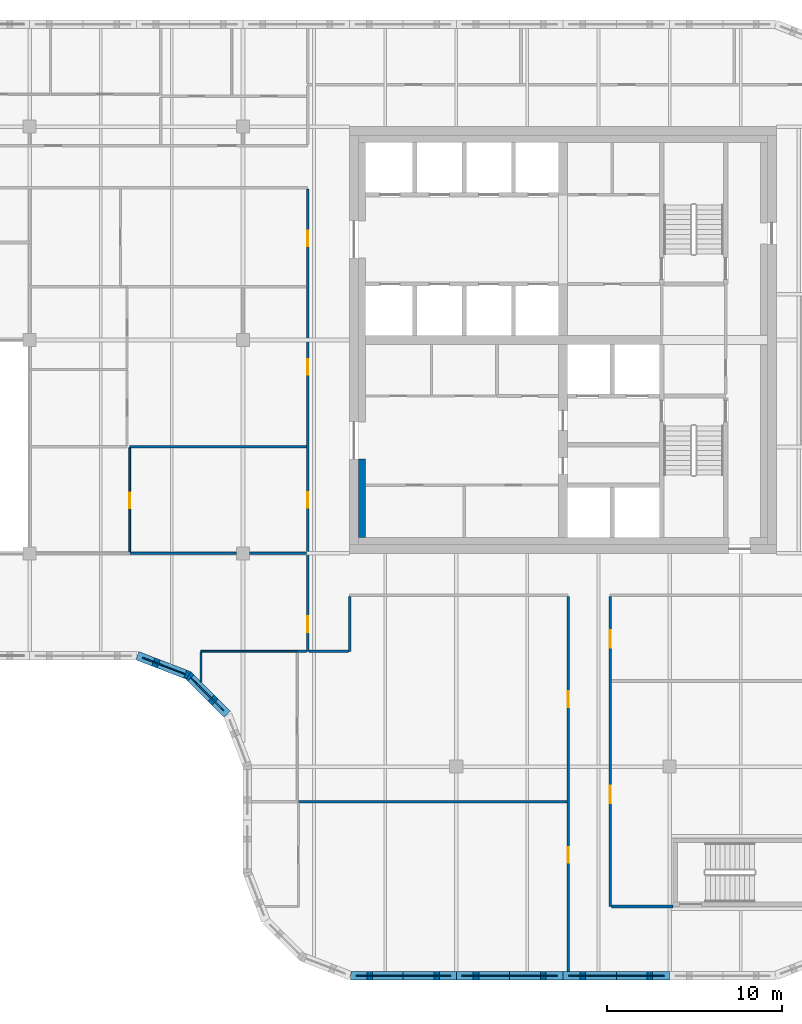
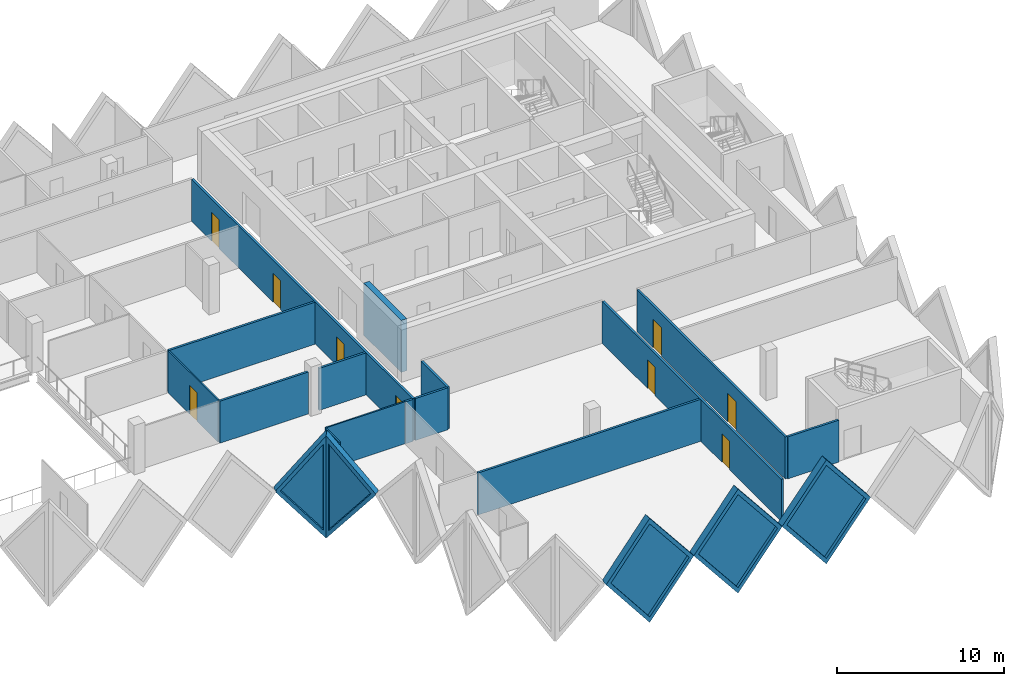
# One storey, part 4 of 11: 20 walls, 9 doors, 5 plates, 14 openings.
"""IFC4 building model written with IfcOpenShell, lengths in metres."""

from ifc_helpers import new_model, si_unit, direction, frame, frame_2d, origin, place, context, subcontext, project, spatial, polyline, rectangle, outline, extrude, faceted_brep, source, transform, mapped, material, layer, layer_set, type_object, element, fill, save


model = new_model("IFC4")

# Units and contexts
model_context = context("Model", 3, precision=1e-05, world=origin(), true_north=direction((0.0, 1.0)))
body_context = subcontext(model_context, "Body", "Model", "MODEL_VIEW")
ifc_project = project(units=[si_unit("LENGTHUNIT", "METRE"), si_unit("AREAUNIT", "SQUARE_METRE"), si_unit("VOLUMEUNIT", "CUBIC_METRE"), si_unit("PLANEANGLEUNIT", "RADIAN"), si_unit("MASSUNIT", "GRAM", prefix="KILO")], contexts=[model_context])

# Site, building, storey
site_placement = place(None, origin())
site = spatial("IfcSite", under=ifc_project, at=site_placement, CompositionType="ELEMENT")
building_placement = place(site_placement, origin())
building = spatial("IfcBuilding", under=site, at=building_placement, Name="Tessera Gate Towers", CompositionType="ELEMENT")
storey_placement = place(building_placement, frame((0.0, 0.0, 224.5)))
storey = spatial("IfcBuildingStorey", under=building, at=storey_placement, Name="L56", CompositionType="ELEMENT", Elevation=224.5)

# Wall
ifc_material_1 = material(Name="Concrete C50/60", Category="concrete")
ifc_layer_1 = layer(ifc_material_1, 0.39990234375)
ifc_layer_set_1 = layer_set([ifc_layer_1], Name="CORE WALL THICKENING 400")
wall_type_1 = type_object("IfcWallType", Name="CORE WALL THICKENING 400", PredefinedType="SOLIDWALL", material=ifc_layer_set_1)
wall_1_placement = place(storey_placement, frame((31.199951171875, 25.300048828125, 0.0), z_axis=(0.0, 0.0, 1.0), x_axis=(0.0, 1.0, 0.0)))
element("IfcWall", 1, at=wall_1_placement, inside=storey, type_object=wall_type_1, Name="Core wall thickening W L56", PredefinedType="SOLIDWALL", context=body_context, shape_type="SweptSolid", body=[
    extrude(rectangle(XDim=4.5, YDim=0.39990234375, at=frame_2d((2.25, 0.0))), origin(), (0.0, 0.0, 1.0), 3.800048828125),
])

# Wall, openings, doors
ifc_material_2 = material(Name="Gypsum board on steel studs, mineral wool", Category="steel")
ifc_layer_2 = layer(ifc_material_2, 0.14990234375)
ifc_layer_set_2 = layer_set([ifc_layer_2], Name="CORRIDOR WALL 150")
wall_type_2 = type_object("IfcWallType", Name="CORRIDOR WALL 150", PredefinedType="PARTITIONING", material=ifc_layer_set_2)
wall_2_placement = place(storey_placement, frame((43.0, 0.5, 0.0), z_axis=(0.0, 0.0, 1.0), x_axis=(0.0, 1.0, 0.0)))
wall_2 = element("IfcWall", 2, at=wall_2_placement, inside=storey, type_object=wall_type_2, Name="T1-L56-PW-001", PredefinedType="PARTITIONING", context=body_context, shape_type="SweptSolid", body=[
    extrude(rectangle(XDim=21.424072265625, YDim=0.14990234375, at=frame_2d((10.7119140625, 0.0))), origin(), (0.0, 0.0, 1.0), 3.06689453125),
])
shared_shape_1 = source(origin(), body_context, "Body", "SweptSolid", [
    extrude(rectangle(XDim=0.89990234375, YDim=2.10009765625, at=frame_2d((0.449951171875, 1.050048828125))), frame((0.0, 0.0849609375, 0.0), z_axis=(0.0, -1.0, 0.0), x_axis=(1.0, 0.0, 0.0)), (0.0, 0.0, 1.0), 0.169921875),
])
opening_1_placement = place(wall_2_placement, frame((6.199951171875, 0.0, 0.0)))
opening_1 = element("IfcOpeningElement", 3, at=opening_1_placement, cuts=wall_2, Name="Opening D890FD60-A20-03", PredefinedType="OPENING", context=body_context, shape_type="MappedRepresentation", body=[
    mapped(shared_shape_1, transform((0.0, 0.0, 0.0), scale=1.0)),
])
opening_2_placement = place(wall_2_placement, frame((15.10009765625, 0.0, 0.0)))
opening_2 = element("IfcOpeningElement", 4, at=opening_2_placement, cuts=wall_2, Name="Opening D890FD60-A20-08", PredefinedType="OPENING", context=body_context, shape_type="MappedRepresentation", body=[
    mapped(shared_shape_1, transform((0.0, 0.0, 0.0), scale=1.0)),
])
ifc_material_3 = material(Name="Timber door leaf in steel frame", Category="steel")
door_type_1 = type_object("IfcDoorType", Name="CORRIDOR DOOR 900 FD60", OperationType="NOTDEFINED", PredefinedType="DOOR", material=ifc_material_3)
shared_shape_2 = source(origin(), body_context, "Body", "SweptSolid", [
    extrude(rectangle(XDim=0.89990234375, YDim=2.10009765625, at=frame_2d((0.449951171875, 1.050048828125))), frame((0.0, 0.02490234375, 0.0), z_axis=(0.0, -1.0, 0.0), x_axis=(1.0, 0.0, 0.0)), (0.0, 0.0, 1.0), 0.050048828125),
])
door_1_placement = place(opening_1_placement, origin())
door_1 = element("IfcDoor", 5, at=door_1_placement, inside=storey, type_object=door_type_1, Name="T1-L56-PD-014", OperationType="SINGLE_SWING_LEFT", OverallHeight=2.10009765625, OverallWidth=0.89990234375, PredefinedType="DOOR", context=body_context, shape_type="MappedRepresentation", body=[
    mapped(shared_shape_2, transform((0.0, 0.0, 0.0), scale=1.0)),
])
fill(opening_1, door_1)
door_2_placement = place(opening_2_placement, origin())
door_2 = element("IfcDoor", 6, at=door_2_placement, inside=storey, type_object=door_type_1, Name="T1-L56-PD-023", OperationType="SINGLE_SWING_LEFT", OverallHeight=2.10009765625, OverallWidth=0.89990234375, PredefinedType="DOOR", context=body_context, shape_type="MappedRepresentation", body=[
    mapped(shared_shape_2, transform((0.0, 0.0, 0.0), scale=1.0)),
])
fill(opening_2, door_2)

wall_3_placement = place(storey_placement, frame((45.39990234375, 21.924072265625, 0.0), z_axis=(0.0, 0.0, 1.0), x_axis=(0.0, -1.0, 0.0)))
wall_3 = element("IfcWall", 7, at=wall_3_placement, inside=storey, type_object=wall_type_2, Name="T1-L56-PW-005", PredefinedType="PARTITIONING", context=body_context, shape_type="SweptSolid", body=[
    extrude(rectangle(XDim=17.72412109375, YDim=0.14990234375, at=frame_2d((8.862060546875, 0.0))), origin(), (0.0, 0.0, 1.0), 3.06689453125),
])
shared_shape_3 = source(origin(), body_context, "Body", "SweptSolid", [
    extrude(rectangle(XDim=1.0, YDim=2.10009765625, at=frame_2d((0.5, 1.050048828125))), frame((0.0, 0.0849609375, 0.0), z_axis=(0.0, -1.0, 0.0), x_axis=(1.0, 0.0, 0.0)), (0.0, 0.0, 1.0), 0.169921875),
])
opening_3_placement = place(wall_3_placement, frame((1.923095703125, 0.0, 0.0)))
opening_3 = element("IfcOpeningElement", 8, at=opening_3_placement, cuts=wall_3, Name="Opening D2100FD60-A20-02", PredefinedType="OPENING", context=body_context, shape_type="MappedRepresentation", body=[
    mapped(shared_shape_3, transform((0.0, 0.0, 0.0), scale=1.0)),
])
opening_4_placement = place(wall_3_placement, frame((10.823974609375, 0.0, 0.0)))
opening_4 = element("IfcOpeningElement", 9, at=opening_4_placement, cuts=wall_3, Name="Opening D2100FD60-A20-04", PredefinedType="OPENING", context=body_context, shape_type="MappedRepresentation", body=[
    mapped(shared_shape_3, transform((0.0, 0.0, 0.0), scale=1.0)),
])
ifc_material_4 = material(Name="Timber door leaf in steel frame", Category="steel")
door_type_2 = type_object("IfcDoorType", Name="TENANCY ENTRANCE DOOR 1000 FD60", OperationType="NOTDEFINED", PredefinedType="DOOR", material=ifc_material_4)
shared_shape_4 = source(origin(), body_context, "Body", "SweptSolid", [
    extrude(rectangle(XDim=1.0, YDim=2.10009765625, at=frame_2d((0.5, 1.050048828125))), frame((0.0, 0.02490234375, 0.0), z_axis=(0.0, -1.0, 0.0), x_axis=(1.0, 0.0, 0.0)), (0.0, 0.0, 1.0), 0.050048828125),
])
door_3_placement = place(opening_3_placement, origin())
door_3 = element("IfcDoor", 10, at=door_3_placement, inside=storey, type_object=door_type_2, Name="T1-L56-PD-008", OperationType="SINGLE_SWING_RIGHT", OverallHeight=2.10009765625, OverallWidth=1.0, PredefinedType="DOOR", context=body_context, shape_type="MappedRepresentation", body=[
    mapped(shared_shape_4, transform((0.0, 0.0, 0.0), scale=1.0)),
])
fill(opening_3, door_3)
door_4_placement = place(opening_4_placement, origin())
door_4 = element("IfcDoor", 11, at=door_4_placement, inside=storey, type_object=door_type_2, Name="T1-L56-PD-027", OperationType="SINGLE_SWING_RIGHT", OverallHeight=2.10009765625, OverallWidth=1.0, PredefinedType="DOOR", context=body_context, shape_type="MappedRepresentation", body=[
    mapped(shared_shape_4, transform((0.0, 0.0, 0.0), scale=1.0)),
])
fill(opening_4, door_4)

# Wall
wall_4_placement = place(storey_placement, frame((45.47607421875, 4.199951171875, 0.0), z_axis=(0.0, 0.0, 1.0), x_axis=(1.0, 0.0, 0.0)))
element("IfcWall", 12, at=wall_4_placement, inside=storey, type_object=wall_type_2, Name="T1-L56-PW-006", PredefinedType="PARTITIONING", context=body_context, shape_type="SweptSolid", body=[
    extrude(rectangle(XDim=3.52392578125, YDim=0.14990234375, at=frame_2d((1.761962890625, 0.0))), origin(), (0.0, 0.0, 1.0), 3.06689453125),
])

# Wall, openings, doors
wall_5_placement = place(storey_placement, frame((28.10009765625, 18.800048828125, 0.0), z_axis=(0.0, 0.0, 1.0), x_axis=(0.0, 1.0, 0.0)))
wall_5 = element("IfcWall", 13, at=wall_5_placement, inside=storey, type_object=wall_type_2, Name="T1-L56-PW-014", PredefinedType="PARTITIONING", context=body_context, shape_type="SweptSolid", body=[
    extrude(rectangle(XDim=26.424072265625, YDim=0.14990234375, at=frame_2d((13.2119140625, 0.0))), origin(), (0.0, 0.0, 1.0), 3.06689453125),
])
opening_5_placement = place(wall_5_placement, frame((1.10009765625, 0.0, 0.0)))
opening_5 = element("IfcOpeningElement", 14, at=opening_5_placement, cuts=wall_5, Name="Opening D890FD60-A20-01", PredefinedType="OPENING", context=body_context, shape_type="MappedRepresentation", body=[
    mapped(shared_shape_1, transform((0.0, 0.0, 0.0), scale=1.0)),
])
opening_6_placement = place(wall_5_placement, frame((23.15087890625, 0.0, 0.0)))
opening_6 = element("IfcOpeningElement", 15, at=opening_6_placement, cuts=wall_5, Name="Opening D890FD60-A20-02", PredefinedType="OPENING", context=body_context, shape_type="MappedRepresentation", body=[
    mapped(shared_shape_1, transform((0.0, 0.0, 0.0), scale=1.0)),
])
opening_7_placement = place(wall_5_placement, frame((8.199951171875, 0.0, 0.0)))
opening_7 = element("IfcOpeningElement", 16, at=opening_7_placement, cuts=wall_5, Name="Opening D890FD60-A20-04", PredefinedType="OPENING", context=body_context, shape_type="MappedRepresentation", body=[
    mapped(shared_shape_1, transform((0.0, 0.0, 0.0), scale=1.0)),
])
opening_8_placement = place(wall_5_placement, frame((15.800048828125, 0.0, 0.0)))
opening_8 = element("IfcOpeningElement", 17, at=opening_8_placement, cuts=wall_5, Name="Opening D890FD60-A20-07", PredefinedType="OPENING", context=body_context, shape_type="MappedRepresentation", body=[
    mapped(shared_shape_1, transform((0.0, 0.0, 0.0), scale=1.0)),
])
door_5_placement = place(opening_5_placement, origin())
door_5 = element("IfcDoor", 18, at=door_5_placement, inside=storey, type_object=door_type_1, Name="T1-L56-PD-001", OperationType="SINGLE_SWING_LEFT", OverallHeight=2.10009765625, OverallWidth=0.89990234375, PredefinedType="DOOR", context=body_context, shape_type="MappedRepresentation", body=[
    mapped(shared_shape_2, transform((0.0, 0.0, 0.0), scale=1.0)),
])
fill(opening_5, door_5)
door_6_placement = place(opening_6_placement, origin())
door_6 = element("IfcDoor", 19, at=door_6_placement, inside=storey, type_object=door_type_1, Name="T1-L56-PD-011", OperationType="SINGLE_SWING_LEFT", OverallHeight=2.10009765625, OverallWidth=0.89990234375, PredefinedType="DOOR", context=body_context, shape_type="MappedRepresentation", body=[
    mapped(shared_shape_2, transform((0.0, 0.0, 0.0), scale=1.0)),
])
fill(opening_6, door_6)
door_7_placement = place(opening_7_placement, origin())
door_7 = element("IfcDoor", 20, at=door_7_placement, inside=storey, type_object=door_type_1, Name="T1-L56-PD-015", OperationType="SINGLE_SWING_LEFT", OverallHeight=2.10009765625, OverallWidth=0.89990234375, PredefinedType="DOOR", context=body_context, shape_type="MappedRepresentation", body=[
    mapped(shared_shape_2, transform((0.0, 0.0, 0.0), scale=1.0)),
])
fill(opening_7, door_7)
door_8_placement = place(opening_8_placement, origin())
door_8 = element("IfcDoor", 21, at=door_8_placement, inside=storey, type_object=door_type_1, Name="T1-L56-PD-022", OperationType="SINGLE_SWING_LEFT", OverallHeight=2.10009765625, OverallWidth=0.89990234375, PredefinedType="DOOR", context=body_context, shape_type="MappedRepresentation", body=[
    mapped(shared_shape_2, transform((0.0, 0.0, 0.0), scale=1.0)),
])
fill(opening_8, door_8)

# Walls
wall_6_placement = place(storey_placement, frame((28.176025390625, 18.800048828125, 0.0), z_axis=(0.0, 0.0, 1.0), x_axis=(1.0, 0.0, 0.0)))
element("IfcWall", 22, at=wall_6_placement, inside=storey, type_object=wall_type_2, Name="T1-L56-PW-015", PredefinedType="PARTITIONING", context=body_context, shape_type="SweptSolid", body=[
    extrude(rectangle(XDim=2.248046875, YDim=0.14990234375, at=frame_2d((1.1240234375, 0.0))), origin(), (0.0, 0.0, 1.0), 3.06689453125),
])
wall_7_placement = place(storey_placement, frame((30.5, 18.800048828125, 0.0), z_axis=(0.0, 0.0, 1.0), x_axis=(0.0, 1.0, 0.0)))
element("IfcWall", 23, at=wall_7_placement, inside=storey, type_object=wall_type_2, Name="T1-L56-PW-016", PredefinedType="PARTITIONING", context=body_context, shape_type="SweptSolid", body=[
    extrude(rectangle(XDim=3.1240234375, YDim=0.14990234375, at=frame_2d((1.56201171875, 0.0))), origin(), (0.0, 0.0, 1.0), 3.06689453125),
])
ifc_material_5 = material(Name="Glass", Category="glass")
ifc_layer_3 = layer(ifc_material_5, 0.10009765625)
ifc_layer_set_3 = layer_set([ifc_layer_3], Name="GLAZED PARTITION 100")
wall_type_3 = type_object("IfcWallType", Name="GLAZED PARTITION 100", PredefinedType="PARTITIONING", material=ifc_layer_set_3)
wall_8_placement = place(storey_placement, frame((22.0, 17.054931640625, 0.0), z_axis=(0.0, 0.0, 1.0), x_axis=(0.0, 1.0, 0.0)))
element("IfcWall", 24, at=wall_8_placement, inside=storey, type_object=wall_type_3, Name="T1-L56-PW-010", PredefinedType="PARTITIONING", context=body_context, shape_type="SweptSolid", body=[
    extrude(rectangle(XDim=1.694091796875, YDim=0.10009765625, at=frame_2d((0.84716796875, 0.0))), origin(), (0.0, 0.0, 1.0), 3.06689453125),
])
wall_9_placement = place(storey_placement, frame((22.0, 18.800048828125, 0.0), z_axis=(0.0, 0.0, 1.0), x_axis=(1.0, 0.0, 0.0)))
element("IfcWall", 25, at=wall_9_placement, inside=storey, type_object=wall_type_3, Name="T1-L56-PW-012", PredefinedType="PARTITIONING", context=body_context, shape_type="SweptSolid", body=[
    extrude(rectangle(XDim=5.4990234375, YDim=0.10009765625, at=frame_2d((2.74951171875, 0.0))), origin(), (0.0, 0.0, 1.0), 3.06689453125),
])

# Wall, opening, door
wall_10_placement = place(storey_placement, frame((17.925048828125, 24.47607421875, 0.0), z_axis=(0.0, 0.0, 1.0), x_axis=(0.0, 1.0, 0.0)))
wall_10 = element("IfcWall", 26, at=wall_10_placement, inside=storey, type_object=wall_type_3, Name="T1-L56-PW-025", PredefinedType="PARTITIONING", context=body_context, shape_type="SweptSolid", body=[
    extrude(rectangle(XDim=5.947998046875, YDim=0.10009765625, at=frame_2d((2.97412109375, 0.0))), origin(), (0.0, 0.0, 1.0), 3.06689453125),
])
shared_shape_5 = source(origin(), body_context, "Body", "SweptSolid", [
    extrude(rectangle(XDim=0.89990234375, YDim=2.10009765625, at=frame_2d((0.449951171875, 1.050048828125))), frame((0.0, 0.06005859375, 0.0), z_axis=(0.0, -1.0, 0.0), x_axis=(1.0, 0.0, 0.0)), (0.0, 0.0, 1.0), 0.1201171875),
])
opening_9_placement = place(wall_10_placement, frame((2.5, 0.0, 0.0)))
opening_9 = element("IfcOpeningElement", 27, at=opening_9_placement, cuts=wall_10, Name="Opening D690-A20-06", PredefinedType="OPENING", context=body_context, shape_type="MappedRepresentation", body=[
    mapped(shared_shape_5, transform((0.0, 0.0, 0.0), scale=1.0)),
])
ifc_material_6 = material(Name="Glass in aluminium frame", Category="aluminium")
door_type_3 = type_object("IfcDoorType", Name="GLAZED DOOR 900 NOT RATED", OperationType="NOTDEFINED", PredefinedType="DOOR", material=ifc_material_6)
door_9_placement = place(opening_9_placement, origin())
door_9 = element("IfcDoor", 28, at=door_9_placement, inside=storey, type_object=door_type_3, Name="T1-L56-PD-013", OperationType="SINGLE_SWING_LEFT", OverallHeight=2.10009765625, OverallWidth=0.89990234375, PredefinedType="DOOR", context=body_context, shape_type="MappedRepresentation", body=[
    mapped(shared_shape_2, transform((0.0, 0.0, 0.0), scale=1.0)),
])
fill(opening_9, door_9)

# Walls
ifc_material_7 = material(Name="Gypsum board on steel studs, mineral wool", Category="steel")
ifc_layer_4 = layer(ifc_material_7, 0.14990234375)
ifc_layer_set_4 = layer_set([ifc_layer_4], Name="TENANCY WALL 150")
wall_type_4 = type_object("IfcWallType", Name="TENANCY WALL 150", PredefinedType="PARTITIONING", material=ifc_layer_set_4)
wall_11_placement = place(storey_placement, frame((27.574951171875, 10.199951171875, 0.0), z_axis=(0.0, 0.0, 1.0), x_axis=(1.0, 0.0, 0.0)))
element("IfcWall", 29, at=wall_11_placement, inside=storey, type_object=wall_type_4, Name="T1-L56-PW-008", PredefinedType="PARTITIONING", context=body_context, shape_type="SweptSolid", body=[
    extrude(rectangle(XDim=15.34912109375, YDim=0.14990234375, at=frame_2d((7.674560546875, 0.0))), origin(), (0.0, 0.0, 1.0), 3.06689453125),
])
wall_12_placement = place(storey_placement, frame((27.5, 18.800048828125, 0.0), z_axis=(0.0, 0.0, 1.0), x_axis=(1.0, 0.0, 0.0)))
element("IfcWall", 30, at=wall_12_placement, inside=storey, type_object=wall_type_4, Name="T1-L56-PW-013", PredefinedType="PARTITIONING", context=body_context, shape_type="SweptSolid", body=[
    extrude(rectangle(XDim=0.52392578125, YDim=0.14990234375, at=frame_2d((0.261962890625, 0.0))), origin(), (0.0, 0.0, 1.0), 3.06689453125),
])
wall_13_placement = place(storey_placement, frame((17.925048828125, 24.39990234375, 0.0), z_axis=(0.0, 0.0, 1.0), x_axis=(1.0, 0.0, 0.0)))
element("IfcWall", 31, at=wall_13_placement, inside=storey, type_object=wall_type_4, Name="T1-L56-PW-023", PredefinedType="PARTITIONING", context=body_context, shape_type="SweptSolid", body=[
    extrude(rectangle(XDim=6.098876953125, YDim=0.14990234375, at=frame_2d((3.04931640625, 0.0))), origin(), (0.0, 0.0, 1.0), 3.06689453125),
])
wall_14_placement = place(storey_placement, frame((24.77587890625, 24.39990234375, 0.0), z_axis=(0.0, 0.0, 1.0), x_axis=(1.0, 0.0, 0.0)))
element("IfcWall", 32, at=wall_14_placement, inside=storey, type_object=wall_type_4, Name="T1-L56-PW-024", PredefinedType="PARTITIONING", context=body_context, shape_type="SweptSolid", body=[
    extrude(rectangle(XDim=3.248046875, YDim=0.14990234375, at=frame_2d((1.6240234375, 0.0))), origin(), (0.0, 0.0, 1.0), 3.06689453125),
])
wall_15_placement = place(storey_placement, frame((17.925048828125, 30.5, 0.0), z_axis=(0.0, 0.0, 1.0), x_axis=(1.0, 0.0, 0.0)))
element("IfcWall", 33, at=wall_15_placement, inside=storey, type_object=wall_type_4, Name="T1-L56-PW-027", PredefinedType="PARTITIONING", context=body_context, shape_type="SweptSolid", body=[
    extrude(rectangle(XDim=10.098876953125, YDim=0.14990234375, at=frame_2d((5.04931640625, 0.0))), origin(), (0.0, 0.0, 1.0), 3.06689453125),
])

# Wall, opening, plate
ifc_material_8 = material(Name="Precast concrete C60/75 white", Category="concrete")
ifc_layer_5 = layer(ifc_material_8, 0.5)
ifc_layer_set_5 = layer_set([ifc_layer_5], Name="TS1 tessera")
wall_type_5 = type_object("IfcWallType", Name="TS1 tessera", PredefinedType="SOLIDWALL", material=ifc_layer_set_5)
shared_shape_6 = source(origin(), body_context, "Body", "Brep", [
    faceted_brep([(3.00341796875, -0.25, 0.0), (6.053466796875, -0.25, 3.800048828125), (3.00341796875, -0.25, 7.60009765625), (0.0, -0.25, 3.800048828125), (0.046630859375, 0.25, 3.85888671875), (3.00341796875, 0.25, 7.60009765625), (6.053466796875, 0.25, 3.800048828125), (3.00341796875, 0.25, 0.0), (0.046630859375, 0.25, 3.7412109375), (0.0, 0.0, 3.800048828125)], [[[0, 1, 2, 3]], [[4, 5, 6, 7, 8]], [[7, 6, 1, 0]], [[6, 5, 2, 1]], [[5, 4, 9, 3, 2]], [[8, 7, 0, 3, 9]], [[8, 9, 4]]]),
])
wall_16_placement = place(storey_placement, frame((30.546630859375, 0.25, -3.800048828125), z_axis=(0.0, 0.0, 1.0), x_axis=(1.0, 0.0, 0.0)))
wall_16 = element("IfcWall", 34, at=wall_16_placement, inside=storey, type_object=wall_type_5, Name="Precast tessera T1 TS1-0989", PredefinedType="SOLIDWALL", context=body_context, shape_type="MappedRepresentation", body=[
    mapped(shared_shape_6, transform((0.0, 0.0, 0.0), scale=1.0)),
])
shared_shape_7 = source(origin(), body_context, "Body", "SweptSolid", [
    extrude(outline(polyline([(3.0048828125, 0.4013671875), (5.73291015625, 3.800048828125), (3.0048828125, 7.19873046875), (0.318603515625, 3.800048828125), (3.0048828125, 0.4013671875)])), frame((0.0, 0.260009765625, 0.0), z_axis=(0.0, -1.0, 0.0), x_axis=(1.0, 0.0, 0.0)), (0.0, 0.0, 1.0), 0.52001953125),
])
opening_10_placement = place(wall_16_placement, origin())
opening_10 = element("IfcOpeningElement", 35, at=opening_10_placement, cuts=wall_16, Name="Opening T1-PL2-2021", PredefinedType="OPENING", context=body_context, shape_type="MappedRepresentation", body=[
    mapped(shared_shape_7, transform((0.0, 0.0, 0.0), scale=1.0)),
])
ifc_material_9 = material(Name="Low-e laminated glass", Category="glass")
ifc_layer_6 = layer(ifc_material_9, 0.06005859375)
ifc_layer_set_6 = layer_set([ifc_layer_6], Name="PL2 rhombic pane")
plate_type = type_object("IfcPlateType", Name="PL2 rhombic pane", PredefinedType="SHEET", material=ifc_layer_set_6)
shared_shape_8 = source(origin(), body_context, "Body", "SweptSolid", [
    extrude(outline(polyline([(3.0048828125, 0.4013671875), (5.73291015625, 3.800048828125), (3.0048828125, 7.19873046875), (0.318603515625, 3.800048828125), (3.0048828125, 0.4013671875)])), frame((0.0, 0.030029296875, 0.0), z_axis=(0.0, -1.0, 0.0), x_axis=(1.0, 0.0, 0.0)), (0.0, 0.0, 1.0), 0.06005859375),
])
plate_1_placement = place(opening_10_placement, origin())
plate_1 = element("IfcPlate", 36, at=plate_1_placement, inside=storey, type_object=plate_type, Name="Glass pane T1 PL2-2021", PredefinedType="SHEET", context=body_context, shape_type="MappedRepresentation", body=[
    mapped(shared_shape_8, transform((0.0, 0.0, 0.0), scale=1.0)),
])
fill(opening_10, plate_1)

shared_shape_9 = source(origin(), body_context, "Body", "Brep", [
    faceted_brep([(3.050048828125, -0.25, 0.0), (6.099853515625, -0.25, 3.7998046875), (6.099853515625, -0.25, 3.80029296875), (3.050048828125, -0.25, 7.60009765625), (0.0, -0.25, 3.800048828125), (0.0, 0.25, 3.800048828125), (3.050048828125, 0.25, 7.60009765625), (6.099853515625, 0.25, 3.80029296875), (6.099853515625, 0.25, 3.7998046875), (3.050048828125, 0.25, 0.0)], [[[0, 1, 2, 3, 4]], [[5, 6, 7, 8, 9]], [[9, 8, 1, 0]], [[7, 6, 3, 2]], [[6, 5, 4, 3]], [[5, 9, 0, 4]], [[1, 8, 7, 2]]]),
])
wall_17_placement = place(storey_placement, frame((36.60009765625, 0.25, -3.800048828125), z_axis=(0.0, 0.0, 1.0), x_axis=(1.0, 0.0, 0.0)))
wall_17 = element("IfcWall", 37, at=wall_17_placement, inside=storey, type_object=wall_type_5, Name="Precast tessera T1 TS1-0990", PredefinedType="SOLIDWALL", context=body_context, shape_type="MappedRepresentation", body=[
    mapped(shared_shape_9, transform((0.0, 0.0, 0.0), scale=1.0)),
])
shared_shape_10 = source(origin(), body_context, "Body", "SweptSolid", [
    extrude(outline(polyline([(3.050048828125, 0.3994140625), (5.779541015625, 3.800048828125), (3.050048828125, 7.20068359375), (0.320556640625, 3.800048828125), (3.050048828125, 0.3994140625)])), frame((0.0, 0.260009765625, 0.0), z_axis=(0.0, -1.0, 0.0), x_axis=(1.0, 0.0, 0.0)), (0.0, 0.0, 1.0), 0.52001953125),
])
opening_11_placement = place(wall_17_placement, origin())
opening_11 = element("IfcOpeningElement", 38, at=opening_11_placement, cuts=wall_17, Name="Opening T1-PL2-2022", PredefinedType="OPENING", context=body_context, shape_type="MappedRepresentation", body=[
    mapped(shared_shape_10, transform((0.0, 0.0, 0.0), scale=1.0)),
])
shared_shape_11 = source(origin(), body_context, "Body", "SweptSolid", [
    extrude(outline(polyline([(3.050048828125, 0.3994140625), (5.779541015625, 3.800048828125), (3.050048828125, 7.20068359375), (0.320556640625, 3.800048828125), (3.050048828125, 0.3994140625)])), frame((0.0, 0.030029296875, 0.0), z_axis=(0.0, -1.0, 0.0), x_axis=(1.0, 0.0, 0.0)), (0.0, 0.0, 1.0), 0.06005859375),
])
plate_2_placement = place(opening_11_placement, origin())
plate_2 = element("IfcPlate", 39, at=plate_2_placement, inside=storey, type_object=plate_type, Name="Glass pane T1 PL2-2022", PredefinedType="SHEET", context=body_context, shape_type="MappedRepresentation", body=[
    mapped(shared_shape_11, transform((0.0, 0.0, 0.0), scale=1.0)),
])
fill(opening_11, plate_2)

shared_shape_12 = source(origin(), body_context, "Body", "SweptSolid", [
    extrude(outline(polyline([(3.050048828125, 0.0), (6.10009765625, 3.800048828125), (3.050048828125, 7.60009765625), (0.0, 3.800048828125), (3.050048828125, 0.0)])), frame((0.0, 0.25, 0.0), z_axis=(0.0, -1.0, 0.0), x_axis=(1.0, 0.0, 0.0)), (0.0, 0.0, 1.0), 0.5),
])
wall_18_placement = place(storey_placement, frame((42.699951171875, 0.25, -3.800048828125), z_axis=(0.0, 0.0, 1.0), x_axis=(1.0, 0.0, 0.0)))
wall_18 = element("IfcWall", 40, at=wall_18_placement, inside=storey, type_object=wall_type_5, Name="Precast tessera T1 TS1-0991", PredefinedType="SOLIDWALL", context=body_context, shape_type="MappedRepresentation", body=[
    mapped(shared_shape_12, transform((0.0, 0.0, 0.0), scale=1.0)),
])
opening_12_placement = place(wall_18_placement, origin())
opening_12 = element("IfcOpeningElement", 41, at=opening_12_placement, cuts=wall_18, Name="Opening T1-PL2-2023", PredefinedType="OPENING", context=body_context, shape_type="MappedRepresentation", body=[
    mapped(shared_shape_10, transform((0.0, 0.0, 0.0), scale=1.0)),
])
plate_3_placement = place(opening_12_placement, origin())
plate_3 = element("IfcPlate", 42, at=plate_3_placement, inside=storey, type_object=plate_type, Name="Glass pane T1 PL2-2023", PredefinedType="SHEET", context=body_context, shape_type="MappedRepresentation", body=[
    mapped(shared_shape_11, transform((0.0, 0.0, 0.0), scale=1.0)),
])
fill(opening_12, plate_3)

ifc_material_10 = material(Name="Precast concrete C60/75 white", Category="concrete")
ifc_layer_7 = layer(ifc_material_10, 0.5)
ifc_layer_set_7 = layer_set([ifc_layer_7], Name="TS3 corner tessera")
wall_type_6 = type_object("IfcWallType", Name="TS3 corner tessera", PredefinedType="SOLIDWALL", material=ifc_layer_set_7)
shared_shape_13 = source(origin(), body_context, "Body", "Brep", [
    faceted_brep([(3.096435546875, -0.25, 7.536376953125), (0.046630859375, -0.25, 3.856201171875), (0.046630859375, -0.25, 3.743896484375), (3.096435546875, -0.25, 0.063720703125), (0.0, 0.25, 3.800048828125), (3.1494140625, 0.25, 7.60009765625), (3.202392578125, 0.25, 7.536376953125), (3.202392578125, 0.25, 0.063720703125), (3.1494140625, 0.25, 0.0), (3.1494140625, -0.000244140625, 0.0), (3.1494140625, -0.000244140625, 7.60009765625), (0.0, 0.0, 3.800048828125)], [[[0, 1, 2, 3]], [[4, 5, 6, 7, 8]], [[8, 7, 9]], [[6, 5, 10]], [[5, 4, 11, 1, 0, 10]], [[4, 8, 9, 3, 2, 11]], [[11, 2, 1]], [[3, 9, 7, 6, 10, 0]]]),
])
wall_19_placement = place(storey_placement, frame((18.346435546875, 18.550048828125, -3.800048828125), z_axis=(0.0, 0.0, 1.0), x_axis=(0.932985567668, -0.359913782069, 0.0)))
wall_19 = element("IfcWall", 43, at=wall_19_placement, inside=storey, type_object=wall_type_6, Name="Precast corner tessera T1 TS3-1313", PredefinedType="SOLIDWALL", context=body_context, shape_type="MappedRepresentation", body=[
    mapped(shared_shape_13, transform((0.0, 0.0, 0.0), scale=1.0)),
])
shared_shape_14 = source(origin(), body_context, "Body", "SweptSolid", [
    extrude(outline(polyline([(2.949462890625, 6.967041015625), (0.32470703125, 3.800048828125), (2.949462890625, 0.633056640625), (2.949462890625, 6.967041015625)])), frame((0.0, 0.260009765625, 0.0), z_axis=(0.0, -1.0, 0.0), x_axis=(1.0, 0.0, 0.0)), (0.0, 0.0, 1.0), 0.52001953125),
])
opening_13_placement = place(wall_19_placement, origin())
opening_13 = element("IfcOpeningElement", 44, at=opening_13_placement, cuts=wall_19, Name="Opening T1-PL2-2060", PredefinedType="OPENING", context=body_context, shape_type="MappedRepresentation", body=[
    mapped(shared_shape_14, transform((0.0, 0.0, 0.0), scale=1.0)),
])
shared_shape_15 = source(origin(), body_context, "Body", "SweptSolid", [
    extrude(outline(polyline([(2.949462890625, 6.967041015625), (0.32470703125, 3.800048828125), (2.949462890625, 0.633056640625), (2.949462890625, 6.967041015625)])), frame((0.0, 0.030029296875, 0.0), z_axis=(0.0, -1.0, 0.0), x_axis=(1.0, 0.0, 0.0)), (0.0, 0.0, 1.0), 0.06005859375),
])
plate_4_placement = place(opening_13_placement, origin())
plate_4 = element("IfcPlate", 45, at=plate_4_placement, inside=storey, type_object=plate_type, Name="Glass pane T1 PL2-2060", PredefinedType="SHEET", context=body_context, shape_type="MappedRepresentation", body=[
    mapped(shared_shape_15, transform((0.0, 0.0, 0.0), scale=1.0)),
])
fill(opening_13, plate_4)

shared_shape_16 = source(origin(), body_context, "Body", "Brep", [
    faceted_brep([(0.10595703125, -0.25, 0.063720703125), (3.156005859375, -0.25, 3.736328125), (3.156005859375, -0.25, 3.86376953125), (0.10595703125, -0.25, 7.536376953125), (0.0, 0.25, 7.5361328125), (0.052978515625, 0.25, 7.60009765625), (3.208740234375, 0.25, 3.800048828125), (0.052978515625, 0.25, 0.0), (0.0, 0.25, 0.06396484375), (3.208740234375, -0.00048828125, 3.800048828125), (0.052978515625, 0.0, 0.0), (0.052978515625, 0.0, 7.60009765625)], [[[0, 1, 2, 3]], [[4, 5, 6, 7, 8]], [[7, 6, 9, 1, 0, 10]], [[6, 5, 11, 3, 2, 9]], [[5, 4, 11]], [[8, 7, 10]], [[8, 10, 0, 3, 11, 4]], [[1, 9, 2]]]),
])
wall_20_placement = place(storey_placement, frame((21.24755859375, 17.453857421875, -3.800048828125), z_axis=(0.0, 0.0, 1.0), x_axis=(0.707106781187, -0.707106781187, 0.0)))
wall_20 = element("IfcWall", 46, at=wall_20_placement, inside=storey, type_object=wall_type_6, Name="Precast corner tessera T1 TS3-1314", PredefinedType="SOLIDWALL", context=body_context, shape_type="MappedRepresentation", body=[
    mapped(shared_shape_16, transform((0.0, 0.0, 0.0), scale=1.0)),
])
shared_shape_17 = source(origin(), body_context, "Body", "SweptSolid", [
    extrude(outline(polyline([(0.2529296875, 0.632080078125), (2.8837890625, 3.800048828125), (0.2529296875, 6.968017578125), (0.2529296875, 0.632080078125)])), frame((0.0, 0.260009765625, 0.0), z_axis=(0.0, -1.0, 0.0), x_axis=(1.0, 0.0, 0.0)), (0.0, 0.0, 1.0), 0.52001953125),
])
opening_14_placement = place(wall_20_placement, origin())
opening_14 = element("IfcOpeningElement", 47, at=opening_14_placement, cuts=wall_20, Name="Opening T1-PL2-2061", PredefinedType="OPENING", context=body_context, shape_type="MappedRepresentation", body=[
    mapped(shared_shape_17, transform((0.0, 0.0, 0.0), scale=1.0)),
])
shared_shape_18 = source(origin(), body_context, "Body", "SweptSolid", [
    extrude(outline(polyline([(0.2529296875, 0.632080078125), (2.8837890625, 3.800048828125), (0.2529296875, 6.968017578125), (0.2529296875, 0.632080078125)])), frame((0.0, 0.030029296875, 0.0), z_axis=(0.0, -1.0, 0.0), x_axis=(1.0, 0.0, 0.0)), (0.0, 0.0, 1.0), 0.06005859375),
])
plate_5_placement = place(opening_14_placement, origin())
plate_5 = element("IfcPlate", 48, at=plate_5_placement, inside=storey, type_object=plate_type, Name="Glass pane T1 PL2-2061", PredefinedType="SHEET", context=body_context, shape_type="MappedRepresentation", body=[
    mapped(shared_shape_18, transform((0.0, 0.0, 0.0), scale=1.0)),
])
fill(opening_14, plate_5)

save(model, "model.ifc")
